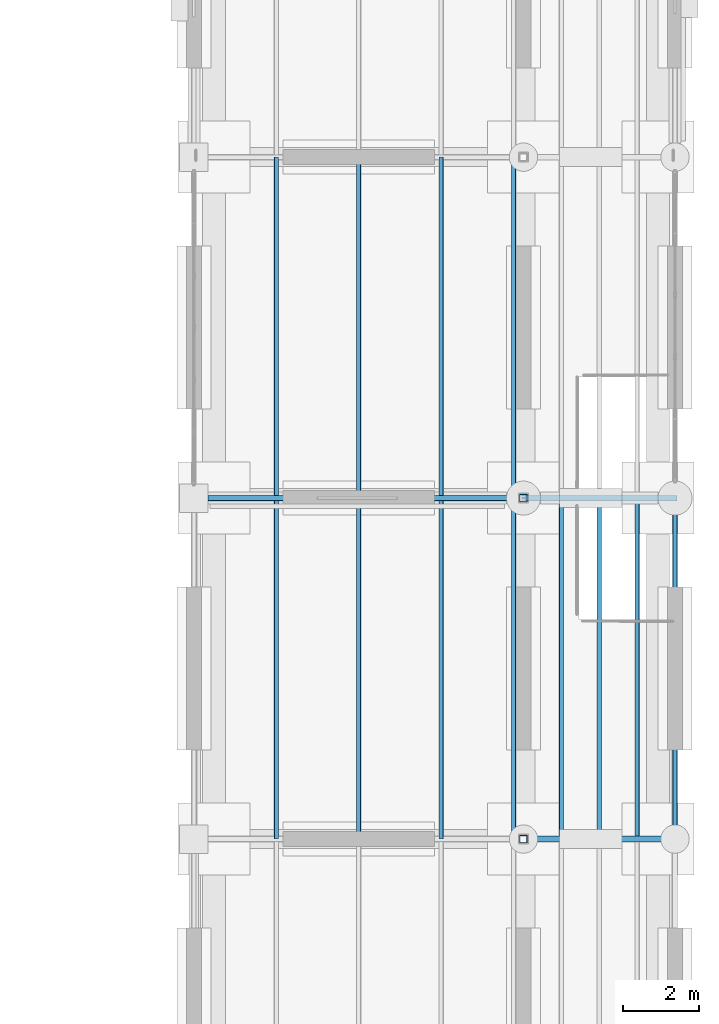
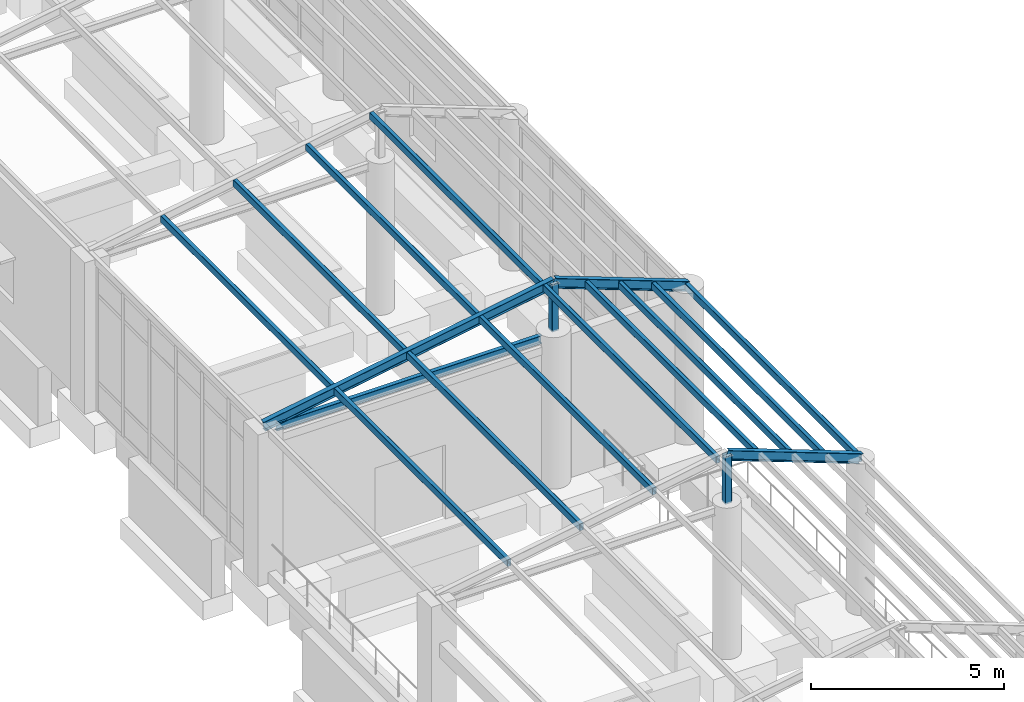
# One storey, part 64 of 111: 17 members, 1 beam.
"""IFC4 building model written with IfcOpenShell, lengths in metres."""

from ifc_helpers import new_model, si_unit, direction, frame, origin, origin_2d, place, context, subcontext, project, spatial, hollow_rectangle, i_section, extrude, material, material_profile, profile_set, type_object, element, save


model = new_model("IFC4")

# Units and contexts
model_context = context("Model", 3, precision=1e-05, world=origin(), true_north=direction((0.0, 1.0)))
body_context = subcontext(model_context, "Body", "Model", "MODEL_VIEW")
ifc_project = project(units=[si_unit("LENGTHUNIT", "METRE"), si_unit("AREAUNIT", "SQUARE_METRE"), si_unit("VOLUMEUNIT", "CUBIC_METRE"), si_unit("PLANEANGLEUNIT", "RADIAN"), si_unit("MASSUNIT", "GRAM", prefix="KILO")], contexts=[model_context])

# Site, building, storey
site_placement = place(None, origin())
site = spatial("IfcSite", under=ifc_project, at=site_placement, CompositionType="ELEMENT")
building_placement = place(site_placement, origin())
building = spatial("IfcBuilding", under=site, at=building_placement, Name="Canglan Escarpment Cableway Terminal", CompositionType="ELEMENT")
storey_placement = place(building_placement, frame((0.0, 0.0, 4.800048828125)))
storey = spatial("IfcBuildingStorey", under=building, at=storey_placement, Name="L01", CompositionType="ELEMENT", Elevation=4.800048828125)

# Beam
ifc_material = material(Name="Steel Q355B", Category="steel")
ifc_material_profile_1 = material_profile(ifc_material, i_section(OverallWidth=0.125, OverallDepth=0.25, WebThickness=0.006103515625, FlangeThickness=0.009033203125, FilletRadius=0.011962890625, at=origin_2d()), Name="HN 250x125x6x9")
ifc_profile_set_1 = profile_set([ifc_material_profile_1], Name="Steel Q355B")
beam_type = type_object("IfcBeamType", Name="BM-CANOPY-HN250", PredefinedType="BEAM", material=ifc_profile_set_1)
beam_placement = place(storey_placement, frame((167.675048828125, 97.0, 4.599853515625), z_axis=(1.0, 0.0, 0.0), x_axis=(0.0, 1.0, 0.0)))
element("IfcBeam", 1, at=beam_placement, inside=storey, type_object=beam_type, Name="Colonnade tie beam RF-B3", PredefinedType="BEAM", context=body_context, shape_type="SweptSolid", body=[
    extrude(i_section(OverallWidth=0.125, OverallDepth=0.25, WebThickness=0.006103515625, FlangeThickness=0.009033203125, FilletRadius=0.011962890625, at=origin_2d()), origin(), (0.0, 0.0, 1.0), 7.949951171875),
])

# Members
ifc_material_profile_2 = material_profile(ifc_material, i_section(OverallWidth=0.14990234375, OverallDepth=0.300048828125, WebThickness=0.006591796875, FlangeThickness=0.009033203125, FilletRadius=0.012939453125, at=origin_2d()), Name="HN 300x150x6.5x9")
ifc_profile_set_2 = profile_set([ifc_material_profile_2], Name="Steel Q355B")
member_type_1 = type_object("IfcMemberType", Name="MB-COL-RAFT-HN300", PredefinedType="RAFTER", material=ifc_profile_set_2)
member_1_placement = place(storey_placement, frame((176.0, 88.0, 6.25), z_axis=(0.936329177569, 0.0, -0.351123441588), x_axis=(0.0, 1.0, 0.0)))
element("IfcMember", 2, at=member_1_placement, inside=storey, type_object=member_type_1, Name="Colonnade pitched rafter RF-R01", PredefinedType="RAFTER", context=body_context, shape_type="SweptSolid", body=[
    extrude(i_section(OverallWidth=0.14990234375, OverallDepth=0.300048828125, WebThickness=0.006591796875, FlangeThickness=0.009033203125, FilletRadius=0.012939453125, at=origin_2d()), origin(), (0.0, 0.0, 1.0), 4.27197265625),
])
member_2_placement = place(storey_placement, frame((167.300048828125, 97.0, 4.75), z_axis=(0.985459956077, 0.0, 0.169907842574), x_axis=(0.0, 1.0, 0.0)))
element("IfcMember", 3, at=member_2_placement, inside=storey, type_object=member_type_1, Name="Colonnade pitched rafter RF-R01", PredefinedType="RAFTER", context=body_context, shape_type="SweptSolid", body=[
    extrude(i_section(OverallWidth=0.14990234375, OverallDepth=0.300048828125, WebThickness=0.006591796875, FlangeThickness=0.009033203125, FilletRadius=0.012939453125, at=origin_2d()), origin(), (0.0, 0.0, 1.0), 8.828369140625),
])
member_3_placement = place(storey_placement, frame((176.0, 97.0, 6.25), z_axis=(0.936329177569, 0.0, -0.351123441588), x_axis=(0.0, 1.0, 0.0)))
element("IfcMember", 4, at=member_3_placement, inside=storey, type_object=member_type_1, Name="Colonnade pitched rafter RF-R01", PredefinedType="RAFTER", context=body_context, shape_type="SweptSolid", body=[
    extrude(i_section(OverallWidth=0.14990234375, OverallDepth=0.300048828125, WebThickness=0.006591796875, FlangeThickness=0.009033203125, FilletRadius=0.012939453125, at=origin_2d()), origin(), (0.0, 0.0, 1.0), 4.27197265625),
])
ifc_material_profile_3 = material_profile(ifc_material, hollow_rectangle(XDim=0.1201171875, YDim=0.219970703125, WallThickness=0.006103515625, InnerFilletRadius=0.006103515625, OuterFilletRadius=0.011962890625, at=origin_2d()), Name="RHS 220x120x6")
ifc_profile_set_3 = profile_set([ifc_material_profile_3], Name="Steel Q355B")
member_type_2 = type_object("IfcMemberType", Name="MB-PAV-PUR-RHS220", PredefinedType="PURLIN", material=ifc_profile_set_3)
for number, where, z_axis, x_axis, name in (
    (5, (169.47509765625, 88.0, 5.094970703125), (0.0, 1.0, 0.0), (-1.0, 0.0, 0.0), "Colonnade canopy purlin PR-03"),
    (6, (169.47509765625, 97.0, 5.094970703125), (0.0, 1.0, 0.0), (-1.0, 0.0, 0.0), "Colonnade canopy purlin PR-03"),
    (7, (171.64990234375, 88.0, 5.469970703125), (0.0, 1.0, 0.0), (-1.0, 0.0, 0.0), "Colonnade canopy purlin PR-03"),
    (8, (171.64990234375, 97.0, 5.469970703125), (0.0, 1.0, 0.0), (-1.0, 0.0, 0.0), "Colonnade canopy purlin PR-03"),
    (9, (173.824951171875, 88.0, 5.844970703125), (0.0, 1.0, 0.0), (-1.0, 0.0, 0.0), "Colonnade canopy purlin PR-03"),
    (10, (173.824951171875, 97.0, 5.844970703125), (0.0, 1.0, 0.0), (-1.0, 0.0, 0.0), "Colonnade canopy purlin PR-03"),
    (11, (175.739013671875, 88.0, 6.175048828125), (0.0, 1.0, 0.0), (-1.0, 0.0, 0.0), "Colonnade canopy purlin PR-03"),
    (12, (175.739013671875, 97.0, 6.175048828125), (0.0, 1.0, 0.0), (-1.0, 0.0, 0.0), "Colonnade canopy purlin PR-03"),
    (13, (177.0, 88.0, 5.844970703125), (0.0, 1.0, 0.0), (-1.0, 0.0, 0.0), "Colonnade canopy purlin PR-03"),
    (14, (178.0, 88.0, 5.469970703125), (0.0, 1.0, 0.0), (-1.0, 0.0, 0.0), "Colonnade canopy purlin PR-03"),
    (15, (179.0, 88.0, 5.094970703125), (0.0, 1.0, 0.0), (-1.0, 0.0, 0.0), "Colonnade canopy purlin PR-03"),
    (16, (180.0, 88.0, 4.719970703125), (0.0, 1.0, 0.0), (-1.0, 0.0, 0.0), "Colonnade canopy purlin PR-03"),
):
    element("IfcMember", number, at=place(storey_placement, frame(where, z_axis=z_axis, x_axis=x_axis)), inside=storey, type_object=member_type_2, Name=name, PredefinedType="PURLIN", context=body_context, shape_type="SweptSolid", body=[
        extrude(hollow_rectangle(XDim=0.1201171875, YDim=0.219970703125, WallThickness=0.006103515625, InnerFilletRadius=0.006103515625, OuterFilletRadius=0.011962890625, at=origin_2d()), origin(), (0.0, 0.0, 1.0), 9.0),
    ])
ifc_material_profile_4 = material_profile(ifc_material, hollow_rectangle(XDim=0.199951171875, YDim=0.199951171875, WallThickness=0.008056640625, InnerFilletRadius=0.008056640625, OuterFilletRadius=0.01611328125, at=origin_2d()), Name="SHS 200x200x8")
ifc_profile_set_4 = profile_set([ifc_material_profile_4], Name="Steel Q355B")
member_type_3 = type_object("IfcMemberType", Name="MB-PRATT-WEB-SHS200", PredefinedType="BRACE", material=ifc_profile_set_4)
for number, where, z_axis, x_axis, name in (
    (17, (176.0, 88.0, 4.75), (0.0, 0.0, 1.0), (1.0, 0.0, 0.0), "Colonnade ridge ROOF TRUSS strut PT-WB1"),
    (18, (176.0, 97.0, 4.75), (0.0, 0.0, 1.0), (1.0, 0.0, 0.0), "Colonnade ridge ROOF TRUSS strut PT-WB1"),
):
    element("IfcMember", number, at=place(storey_placement, frame(where, z_axis=z_axis, x_axis=x_axis)), inside=storey, type_object=member_type_3, Name=name, PredefinedType="BRACE", context=body_context, shape_type="SweptSolid", body=[
        extrude(hollow_rectangle(XDim=0.199951171875, YDim=0.199951171875, WallThickness=0.008056640625, InnerFilletRadius=0.008056640625, OuterFilletRadius=0.01611328125, at=origin_2d()), origin(), (0.0, 0.0, 1.0), 1.5),
    ])

save(model, "model.ifc")
